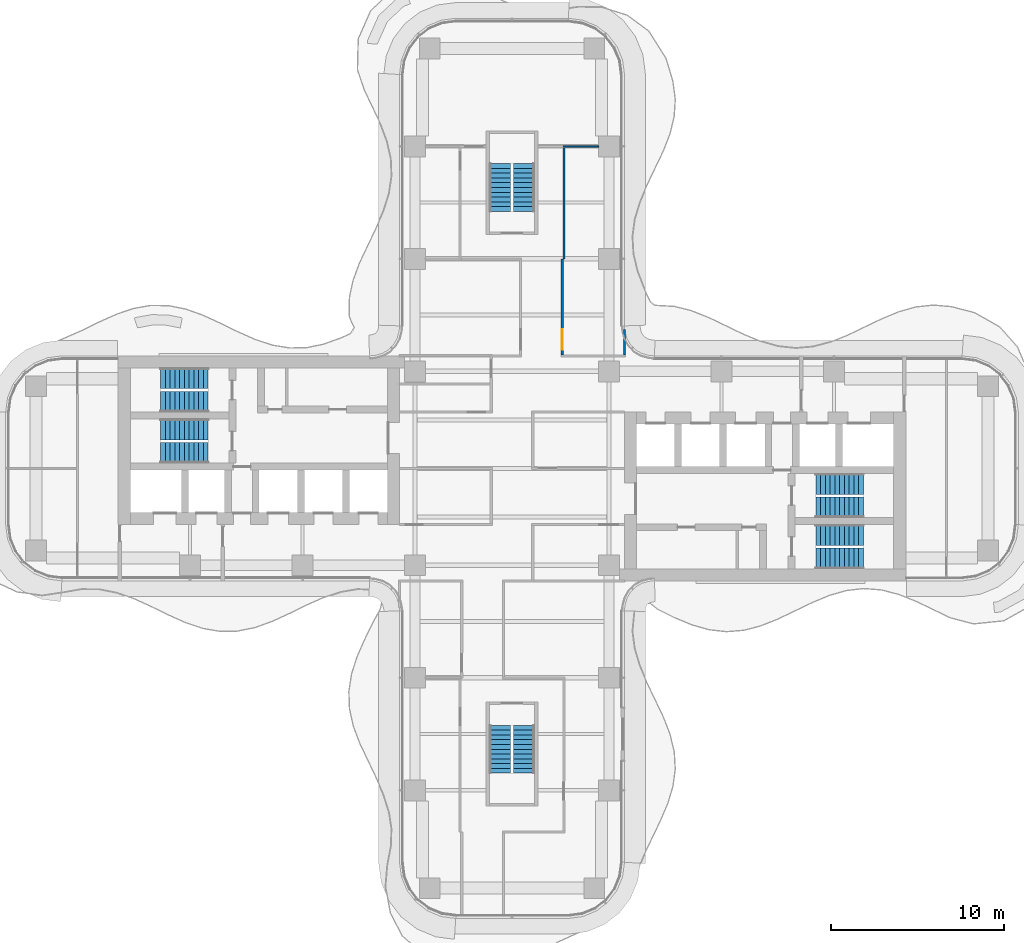
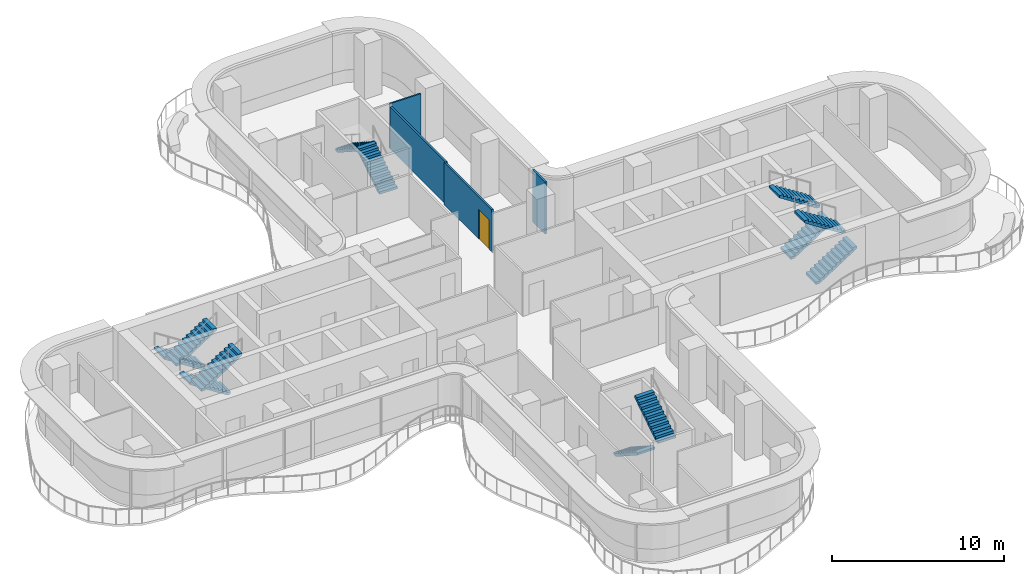
# One storey, part 15 of 17: 12 stair flights, 4 walls, 1 door, 1 opening, 6 elements without a shape of their own.
"""IFC4 building model written with IfcOpenShell, lengths in metres."""

from ifc_helpers import new_model, si_unit, direction, frame, frame_2d, origin, place, context, subcontext, project, spatial, polyline, rectangle, outline, extrude, source, transform, mapped, material, layer, layer_set, type_object, element, fill, aggregate, save


model = new_model("IFC4")

# Units and contexts
model_context = context("Model", 3, precision=1e-05, world=origin(), true_north=direction((0.0, 1.0)))
body_context = subcontext(model_context, "Body", "Model", "MODEL_VIEW")
ifc_project = project(units=[si_unit("LENGTHUNIT", "METRE"), si_unit("AREAUNIT", "SQUARE_METRE"), si_unit("VOLUMEUNIT", "CUBIC_METRE"), si_unit("PLANEANGLEUNIT", "RADIAN"), si_unit("MASSUNIT", "GRAM", prefix="KILO")], contexts=[model_context])

# Site, building, storey
site_placement = place(None, origin())
site = spatial("IfcSite", under=ifc_project, at=site_placement, CompositionType="ELEMENT")
building_placement = place(site_placement, origin())
building = spatial("IfcBuilding", under=site, at=building_placement, Name="Trellis Farm Tower", CompositionType="ELEMENT")
storey_placement = place(building_placement, frame((0.0, 0.0, 165.89990234375)))
storey = spatial("IfcBuildingStorey", under=building, at=storey_placement, Name="L35", CompositionType="ELEMENT", Elevation=165.89990234375)

# Wall, opening, door
ifc_material_1 = material(Name="Plasterboard on steel studs, mineral wool", Category="steel")
ifc_layer_1 = layer(ifc_material_1, 0.125)
ifc_layer_set_1 = layer_set([ifc_layer_1], Name="PARTITION 125 STUD EI 60")
wall_type_1 = type_object("IfcWallType", Name="PARTITION 125 STUD EI 60", PredefinedType="PARTITIONING", material=ifc_layer_set_1)
shared_shape_1 = source(origin(), body_context, "Body", "SweptSolid", [
    extrude(rectangle(XDim=5.53759765625, YDim=0.125, at=frame_2d((2.768798828125, 0.0))), origin(), (0.0, 0.0, 1.0), 2.99658203125),
])
wall_1_placement = place(storey_placement, frame((2.89990234375, 12.10009765625, 0.0), z_axis=(0.0, 0.0, 1.0), x_axis=(0.0, -1.0, 0.0)))
wall_1 = element("IfcWall", 1, at=wall_1_placement, inside=storey, type_object=wall_type_1, Name="Partition PW1", PredefinedType="PARTITIONING", context=body_context, shape_type="MappedRepresentation", body=[
    mapped(shared_shape_1, transform((0.0, 0.0, 0.0))),
])
shared_shape_2 = source(origin(), body_context, "Body", "SweptSolid", [
    extrude(rectangle(XDim=1.199951171875, YDim=2.10009765625, at=frame_2d((0.60009765625, 1.050048828125))), frame((0.0, 0.072509765625, 0.0), z_axis=(0.0, -1.0, 0.0), x_axis=(1.0, 0.0, 0.0)), (0.0, 0.0, 1.0), 0.14501953125),
])
opening_placement = place(wall_1_placement, frame((4.050048828125, 0.0, 0.0)))
opening = element("IfcOpeningElement", 2, at=opening_placement, cuts=wall_1, Name="Opening D602", PredefinedType="OPENING", context=body_context, shape_type="MappedRepresentation", body=[
    mapped(shared_shape_2, transform((0.0, 0.0, 0.0))),
])
ifc_material_2 = material(Name="Fire-rated timber door leaf in a hollow metal frame", Category="wood")
door_type = type_object("IfcDoorType", Name="DOOR 1200x2100 FD30S", OperationType="NOTDEFINED", PredefinedType="DOOR", material=ifc_material_2)
shared_shape_3 = source(origin(), body_context, "Body", "SweptSolid", [
    extrude(rectangle(XDim=1.199951171875, YDim=2.10009765625, at=frame_2d((0.60009765625, 1.050048828125))), frame((0.0, 0.02490234375, 0.0), z_axis=(0.0, -1.0, 0.0), x_axis=(1.0, 0.0, 0.0)), (0.0, 0.0, 1.0), 0.050048828125),
])
door_placement = place(opening_placement, origin())
door = element("IfcDoor", 3, at=door_placement, inside=storey, type_object=door_type, Name="Door D602", OperationType="SINGLE_SWING_RIGHT", OverallHeight=2.10009765625, OverallWidth=1.199951171875, PredefinedType="DOOR", context=body_context, shape_type="MappedRepresentation", body=[
    mapped(shared_shape_3, transform((0.0, 0.0, 0.0))),
])
fill(opening, door)

# Walls
shared_shape_4 = source(origin(), body_context, "Body", "SweptSolid", [
    extrude(rectangle(XDim=6.449951171875, YDim=0.125, at=frame_2d((3.22509765625, 0.0))), origin(), (0.0, 0.0, 1.0), 2.99658203125),
])
wall_2_placement = place(storey_placement, frame((3.0, 18.550048828125, 0.0), z_axis=(0.0, 0.0, 1.0), x_axis=(0.0, -1.0, 0.0)))
element("IfcWall", 4, at=wall_2_placement, inside=storey, type_object=wall_type_1, Name="Partition PW1", PredefinedType="PARTITIONING", context=body_context, shape_type="MappedRepresentation", body=[
    mapped(shared_shape_4, transform((0.0, 0.0, 0.0))),
])
shared_shape_5 = source(origin(), body_context, "Body", "SweptSolid", [
    extrude(rectangle(XDim=1.468994140625, YDim=0.125, at=frame_2d((0.734375, 0.0))), origin(), (0.0, 0.0, 1.0), 3.7001953125),
])
wall_3_placement = place(storey_placement, frame((6.5, 6.5625, 0.0), z_axis=(0.0, 0.0, 1.0), x_axis=(0.0, 1.0, 0.0)))
element("IfcWall", 5, at=wall_3_placement, inside=storey, type_object=wall_type_1, Name="Partition PW1", PredefinedType="PARTITIONING", context=body_context, shape_type="MappedRepresentation", body=[
    mapped(shared_shape_5, transform((0.0, 0.0, 0.0))),
])
ifc_material_3 = material(Name="Plasterboard on steel studs", Category="steel")
ifc_layer_2 = layer(ifc_material_3, 0.10009765625)
ifc_layer_set_2 = layer_set([ifc_layer_2], Name="PARTITION 100 STUD EI 30")
wall_type_2 = type_object("IfcWallType", Name="PARTITION 100 STUD EI 30", PredefinedType="PARTITIONING", material=ifc_layer_set_2)
shared_shape_6 = source(origin(), body_context, "Body", "SweptSolid", [
    extrude(rectangle(XDim=2.0625, YDim=0.10009765625, at=frame_2d((1.03125, 0.0))), origin(), (0.0, 0.0, 1.0), 3.22314453125),
])
wall_4_placement = place(storey_placement, frame((2.9375, 18.60009765625, 0.0), z_axis=(0.0, 0.0, 1.0), x_axis=(1.0, 0.0, 0.0)))
element("IfcWall", 6, at=wall_4_placement, inside=storey, type_object=wall_type_2, Name="Partition PW2", PredefinedType="PARTITIONING", context=body_context, shape_type="MappedRepresentation", body=[
    mapped(shared_shape_6, transform((0.0, 0.0, 0.0))),
])

# Stair, stair flights
ifc_material_4 = material(Name="Concrete C50/60", Category="concrete")
stair_type = type_object("IfcStairType", Name="CORE EXIT STAIR 22 RISERS 177 MM", PredefinedType="HALF_TURN_STAIR", material=ifc_material_4)
placement = place(storey_placement, origin())
stair_1 = element("IfcStair", 7, at=placement, inside=storey, type_object=stair_type, Name="Exit stair N", PredefinedType="HALF_TURN_STAIR")
stair_flight_type = type_object("IfcStairFlightType", Name="STAIR FLIGHT 11 RISERS 177 MM", PredefinedType="STRAIGHT", material=ifc_material_4)
shared_shape_7 = source(origin(), body_context, "Body", "SweptSolid", [
    extrude(outline(polyline([(0.0, 0.0), (0.0, 0.17724609375), (0.27490234375, 0.17724609375), (0.27490234375, 0.3544921875), (0.550048828125, 0.3544921875), (0.550048828125, 0.53173828125), (0.824951171875, 0.53173828125), (0.824951171875, 0.708984375), (1.10009765625, 0.708984375), (1.10009765625, 0.886474609375), (1.375, 0.886474609375), (1.375, 1.063720703125), (1.64990234375, 1.063720703125), (1.64990234375, 1.240966796875), (1.925048828125, 1.240966796875), (1.925048828125, 1.418212890625), (2.199951171875, 1.418212890625), (2.199951171875, 1.595458984375), (2.47509765625, 1.595458984375), (2.47509765625, 1.772705078125), (2.75, 1.772705078125), (2.75, 1.949951171875), (2.75, 1.6181640625), (0.23974609375, 0.0), (0.0, 0.0)])), frame((0.0, 0.60009765625, 0.0), z_axis=(0.0, -1.0, 0.0), x_axis=(1.0, 0.0, 0.0)), (0.0, 0.0, 1.0), 1.199951171875),
])
stair_flight_1_placement = place(storey_placement, frame((0.699951171875, 14.85009765625, 0.0), z_axis=(0.0, 0.0, 1.0), x_axis=(0.0, 1.0, 0.0)))
stair_flight_1 = element("IfcStairFlight", 8, at=stair_flight_1_placement, type_object=stair_flight_type, Name="STN flight 1", NumberOfRisers=11, NumberOfTreads=10, PredefinedType="STRAIGHT", RiserHeight=0.177272727, TreadLength=0.275, context=body_context, shape_type="MappedRepresentation", body=[
    mapped(shared_shape_7, transform((0.0, 0.0, 0.0))),
])
stair_flight_2_placement = place(storey_placement, frame((-0.699951171875, 17.60009765625, 1.9501953125), z_axis=(0.0, 0.0, 1.0), x_axis=(0.0, -1.0, 0.0)))
stair_flight_2 = element("IfcStairFlight", 9, at=stair_flight_2_placement, type_object=stair_flight_type, Name="STN flight 2", NumberOfRisers=11, NumberOfTreads=10, PredefinedType="STRAIGHT", RiserHeight=0.177272727, TreadLength=0.275, context=body_context, shape_type="MappedRepresentation", body=[
    mapped(shared_shape_7, transform((0.0, 0.0, 0.0))),
])
aggregate(stair_1, [stair_flight_1, stair_flight_2])

stair_2 = element("IfcStair", 10, at=placement, inside=storey, type_object=stair_type, Name="Exit stair S", PredefinedType="HALF_TURN_STAIR")
stair_flight_3_placement = place(storey_placement, frame((-0.699951171875, -14.85009765625, 0.0), z_axis=(0.0, 0.0, 1.0), x_axis=(0.0, -1.0, 0.0)))
stair_flight_3 = element("IfcStairFlight", 11, at=stair_flight_3_placement, type_object=stair_flight_type, Name="STS flight 1", NumberOfRisers=11, NumberOfTreads=10, PredefinedType="STRAIGHT", RiserHeight=0.177272727, TreadLength=0.275, context=body_context, shape_type="MappedRepresentation", body=[
    mapped(shared_shape_7, transform((0.0, 0.0, 0.0))),
])
stair_flight_4_placement = place(storey_placement, frame((0.699951171875, -17.60009765625, 1.9501953125), z_axis=(0.0, 0.0, 1.0), x_axis=(0.0, 1.0, 0.0)))
stair_flight_4 = element("IfcStairFlight", 12, at=stair_flight_4_placement, type_object=stair_flight_type, Name="STS flight 2", NumberOfRisers=11, NumberOfTreads=10, PredefinedType="STRAIGHT", RiserHeight=0.177272727, TreadLength=0.275, context=body_context, shape_type="MappedRepresentation", body=[
    mapped(shared_shape_7, transform((0.0, 0.0, 0.0))),
])
aggregate(stair_2, [stair_flight_3, stair_flight_4])

stair_3 = element("IfcStair", 13, at=placement, inside=storey, type_object=stair_type, Name="Exit stair E1", PredefinedType="HALF_TURN_STAIR")
stair_flight_5_placement = place(storey_placement, frame((17.550048828125, -5.199951171875, 0.0), z_axis=(0.0, 0.0, 1.0), x_axis=(1.0, 0.0, 0.0)))
stair_flight_5 = element("IfcStairFlight", 14, at=stair_flight_5_placement, type_object=stair_flight_type, Name="STE1 flight 1", NumberOfRisers=11, NumberOfTreads=10, PredefinedType="STRAIGHT", RiserHeight=0.177272727, TreadLength=0.275, context=body_context, shape_type="MappedRepresentation", body=[
    mapped(shared_shape_7, transform((0.0, 0.0, 0.0))),
])
stair_flight_6_placement = place(storey_placement, frame((20.300048828125, -3.85009765625, 1.9501953125), z_axis=(0.0, 0.0, 1.0), x_axis=(-1.0, 0.0, 0.0)))
stair_flight_6 = element("IfcStairFlight", 15, at=stair_flight_6_placement, type_object=stair_flight_type, Name="STE1 flight 2", NumberOfRisers=11, NumberOfTreads=10, PredefinedType="STRAIGHT", RiserHeight=0.177272727, TreadLength=0.275, context=body_context, shape_type="MappedRepresentation", body=[
    mapped(shared_shape_7, transform((0.0, 0.0, 0.0))),
])
aggregate(stair_3, [stair_flight_5, stair_flight_6])

stair_4 = element("IfcStair", 16, at=placement, inside=storey, type_object=stair_type, Name="Exit stair E2", PredefinedType="HALF_TURN_STAIR")
stair_flight_7_placement = place(storey_placement, frame((17.550048828125, -2.25, 0.0), z_axis=(0.0, 0.0, 1.0), x_axis=(1.0, 0.0, 0.0)))
stair_flight_7 = element("IfcStairFlight", 17, at=stair_flight_7_placement, type_object=stair_flight_type, Name="STE2 flight 1", NumberOfRisers=11, NumberOfTreads=10, PredefinedType="STRAIGHT", RiserHeight=0.177272727, TreadLength=0.275, context=body_context, shape_type="MappedRepresentation", body=[
    mapped(shared_shape_7, transform((0.0, 0.0, 0.0))),
])
stair_flight_8_placement = place(storey_placement, frame((20.300048828125, -0.89990234375, 1.9501953125), z_axis=(0.0, 0.0, 1.0), x_axis=(-1.0, 0.0, 0.0)))
stair_flight_8 = element("IfcStairFlight", 18, at=stair_flight_8_placement, type_object=stair_flight_type, Name="STE2 flight 2", NumberOfRisers=11, NumberOfTreads=10, PredefinedType="STRAIGHT", RiserHeight=0.177272727, TreadLength=0.275, context=body_context, shape_type="MappedRepresentation", body=[
    mapped(shared_shape_7, transform((0.0, 0.0, 0.0))),
])
aggregate(stair_4, [stair_flight_7, stair_flight_8])

stair_5 = element("IfcStair", 19, at=placement, inside=storey, type_object=stair_type, Name="Exit stair W1", PredefinedType="HALF_TURN_STAIR")
stair_flight_9_placement = place(storey_placement, frame((-17.550048828125, 5.199951171875, 0.0), z_axis=(0.0, 0.0, 1.0), x_axis=(-1.0, 0.0, 0.0)))
stair_flight_9 = element("IfcStairFlight", 20, at=stair_flight_9_placement, type_object=stair_flight_type, Name="STW1 flight 1", NumberOfRisers=11, NumberOfTreads=10, PredefinedType="STRAIGHT", RiserHeight=0.177272727, TreadLength=0.275, context=body_context, shape_type="MappedRepresentation", body=[
    mapped(shared_shape_7, transform((0.0, 0.0, 0.0))),
])
stair_flight_10_placement = place(storey_placement, frame((-20.300048828125, 3.85009765625, 1.9501953125), z_axis=(0.0, 0.0, 1.0), x_axis=(1.0, 0.0, 0.0)))
stair_flight_10 = element("IfcStairFlight", 21, at=stair_flight_10_placement, type_object=stair_flight_type, Name="STW1 flight 2", NumberOfRisers=11, NumberOfTreads=10, PredefinedType="STRAIGHT", RiserHeight=0.177272727, TreadLength=0.275, context=body_context, shape_type="MappedRepresentation", body=[
    mapped(shared_shape_7, transform((0.0, 0.0, 0.0))),
])
aggregate(stair_5, [stair_flight_9, stair_flight_10])

stair_6 = element("IfcStair", 22, at=placement, inside=storey, type_object=stair_type, Name="Exit stair W2", PredefinedType="HALF_TURN_STAIR")
stair_flight_11_placement = place(storey_placement, frame((-17.550048828125, 2.25, 0.0), z_axis=(0.0, 0.0, 1.0), x_axis=(-1.0, 0.0, 0.0)))
stair_flight_11 = element("IfcStairFlight", 23, at=stair_flight_11_placement, type_object=stair_flight_type, Name="STW2 flight 1", NumberOfRisers=11, NumberOfTreads=10, PredefinedType="STRAIGHT", RiserHeight=0.177272727, TreadLength=0.275, context=body_context, shape_type="MappedRepresentation", body=[
    mapped(shared_shape_7, transform((0.0, 0.0, 0.0))),
])
stair_flight_12_placement = place(storey_placement, frame((-20.300048828125, 0.89990234375, 1.9501953125), z_axis=(0.0, 0.0, 1.0), x_axis=(1.0, 0.0, 0.0)))
stair_flight_12 = element("IfcStairFlight", 24, at=stair_flight_12_placement, type_object=stair_flight_type, Name="STW2 flight 2", NumberOfRisers=11, NumberOfTreads=10, PredefinedType="STRAIGHT", RiserHeight=0.177272727, TreadLength=0.275, context=body_context, shape_type="MappedRepresentation", body=[
    mapped(shared_shape_7, transform((0.0, 0.0, 0.0))),
])
aggregate(stair_6, [stair_flight_11, stair_flight_12])

save(model, "model.ifc")
